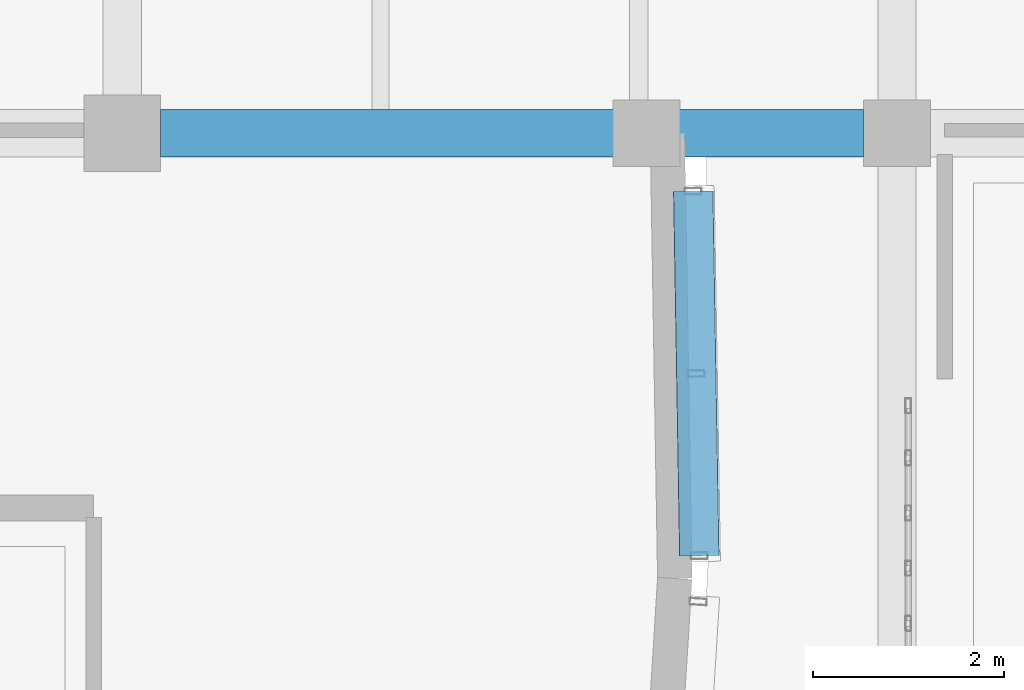
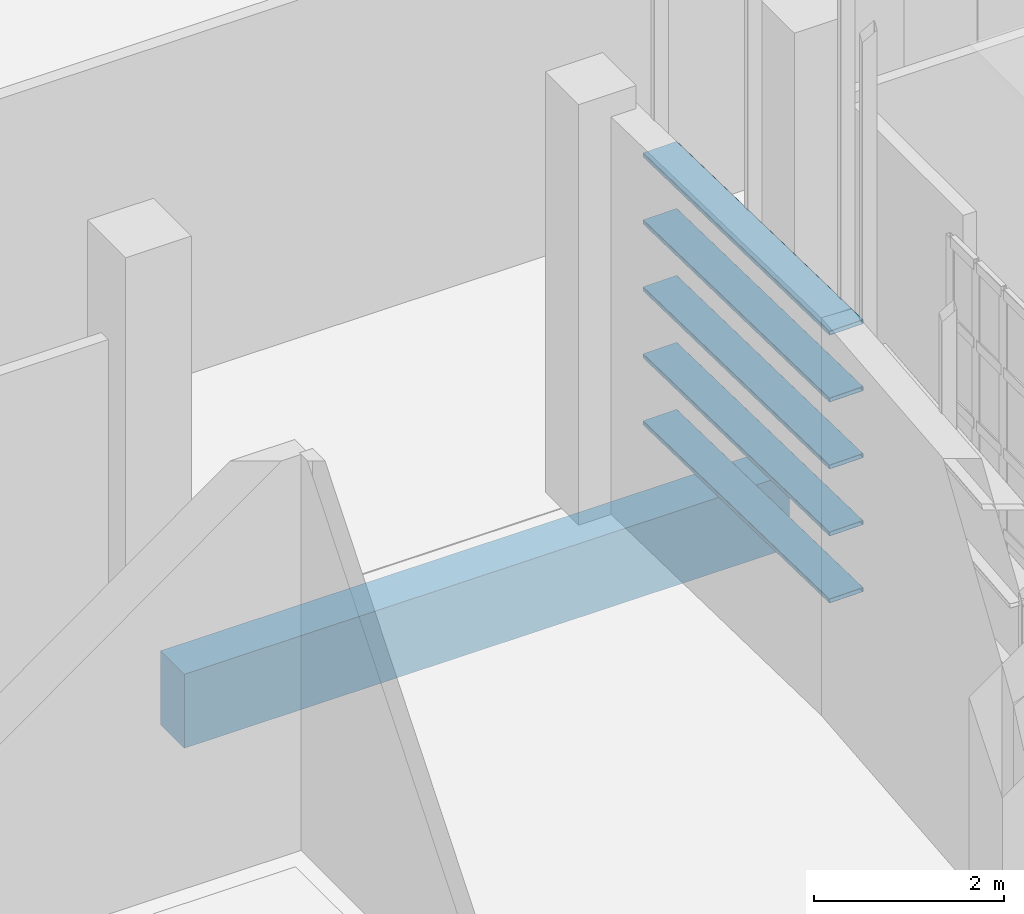
# One storey, part 234 of 372: 5 members, 1 beam.
"""IFC4 building model written with IfcOpenShell, lengths in metres."""

from ifc_helpers import new_model, si_unit, direction, frame, origin, origin_2d, place, context, subcontext, project, spatial, rectangle, hollow_rectangle, extrude, material, material_profile, profile_set, type_object, element, save


model = new_model("IFC4")

# Units and contexts
model_context = context("Model", 3, precision=1e-05, world=origin(), true_north=direction((0.0, 1.0)))
body_context = subcontext(model_context, "Body", "Model", "MODEL_VIEW")
ifc_project = project(units=[si_unit("LENGTHUNIT", "METRE"), si_unit("AREAUNIT", "SQUARE_METRE"), si_unit("VOLUMEUNIT", "CUBIC_METRE"), si_unit("PLANEANGLEUNIT", "RADIAN"), si_unit("MASSUNIT", "GRAM", prefix="KILO")], contexts=[model_context])

# Site, building, storey
site_placement = place(None, origin())
site = spatial("IfcSite", under=ifc_project, at=site_placement, CompositionType="ELEMENT")
building_placement = place(site_placement, origin())
building = spatial("IfcBuilding", under=site, at=building_placement, Name="Kaelora Sail Theatre", CompositionType="ELEMENT")
storey_placement = place(building_placement, origin())
storey = spatial("IfcBuildingStorey", under=building, at=storey_placement, Name="L00", CompositionType="ELEMENT", Elevation=0.0)

# Members
ifc_material_1 = material(Name="Anodised aluminium 6063-T6", Category="aluminium")
ifc_material_profile_1 = material_profile(ifc_material_1, hollow_rectangle(XDim=0.419921875, YDim=0.054931640625, WallThickness=0.00390625, InnerFilletRadius=0.00390625, OuterFilletRadius=0.008056640625, at=origin_2d()), Name="LOUVRE 420x55x4")
ifc_profile_set_1 = profile_set([ifc_material_profile_1], Name="Anodised aluminium 6063-T6")
member_type = type_object("IfcMemberType", Name="ARC-MEM-LVR-420", PredefinedType="USERDEFINED", material=ifc_profile_set_1)
for number, where, z_axis, x_axis, name in (
    (1, (104.670166015625, 60.412353515625, 1.25), (0.016590707442, -0.999862364742, 0.0), (0.999862364742, 0.016590707442, 0.0), "Studio Theatre Sail Drum horizontal solar louvre C1-01"),
    (2, (104.670166015625, 60.412353515625, 2.110107421875), (0.016590707442, -0.999862364742, 0.0), (0.999862364742, 0.016590707442, 0.0), "Studio Theatre Sail Drum horizontal solar louvre C1-02"),
    (3, (104.670166015625, 60.412353515625, 2.969970703125), (0.016590707442, -0.999862364742, 0.0), (0.999862364742, 0.016590707442, 0.0), "Studio Theatre Sail Drum horizontal solar louvre C1-03"),
    (4, (104.670166015625, 60.412353515625, 3.830078125), (0.016590707442, -0.999862364742, 0.0), (0.999862364742, 0.016590707442, 0.0), "Studio Theatre Sail Drum horizontal solar louvre C1-04"),
    (5, (104.670166015625, 60.412353515625, 4.68994140625), (0.016590707442, -0.999862364742, 0.0), (0.999862364742, 0.016590707442, 0.0), "Studio Theatre Sail Drum horizontal solar louvre C1-05"),
):
    element("IfcMember", number, at=place(storey_placement, frame(where, z_axis=z_axis, x_axis=x_axis)), inside=storey, type_object=member_type, Name=name, ObjectType="LOUVRE", PredefinedType="USERDEFINED", context=body_context, shape_type="SweptSolid", body=[
        extrude(hollow_rectangle(XDim=0.419921875, YDim=0.054931640625, WallThickness=0.00390625, InnerFilletRadius=0.00390625, OuterFilletRadius=0.008056640625, at=origin_2d()), origin(), (0.0, 0.0, 1.0), 3.811279296875),
    ])

# Beam
ifc_material_2 = material(Name="Concrete C45/55", Category="concrete")
ifc_material_profile_2 = material_profile(ifc_material_2, rectangle(XDim=0.5, YDim=0.949951171875, at=origin_2d()), Name="RC-GRD 500x950")
ifc_profile_set_2 = profile_set([ifc_material_profile_2], Name="Concrete C45/55")
beam_type = type_object("IfcBeamType", Name="STR-BM-GR-RC5095", PredefinedType="T_BEAM", material=ifc_profile_set_2)
beam_placement = place(storey_placement, frame((99.10009765625, 61.02001953125, -0.794921875), z_axis=(1.0, 0.0, 0.0), x_axis=(0.0, 1.0, 0.0)))
element("IfcBeam", 6, at=beam_placement, inside=storey, type_object=beam_type, Name="Primary beam I 13-14 (L00)", PredefinedType="T_BEAM", context=body_context, shape_type="SweptSolid", body=[
    extrude(rectangle(XDim=0.5, YDim=0.949951171875, at=origin_2d()), origin(), (0.0, 0.0, 1.0), 7.349853515625),
])

save(model, "model.ifc")
